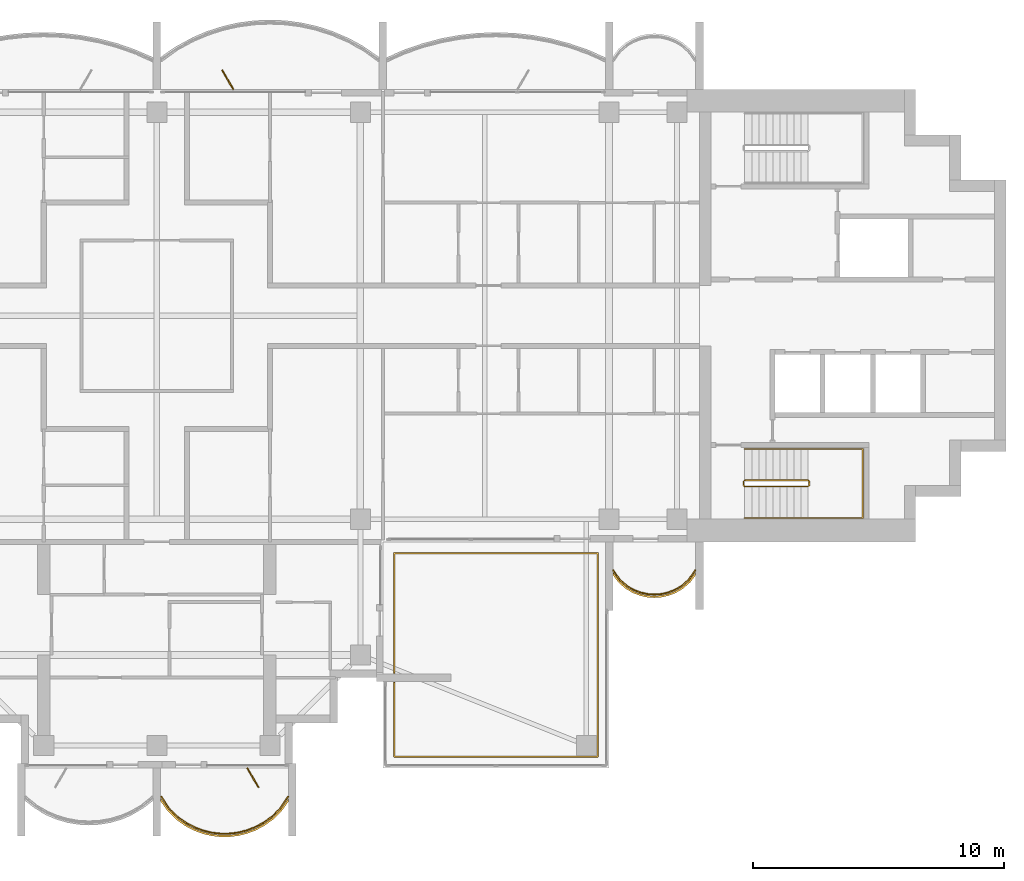
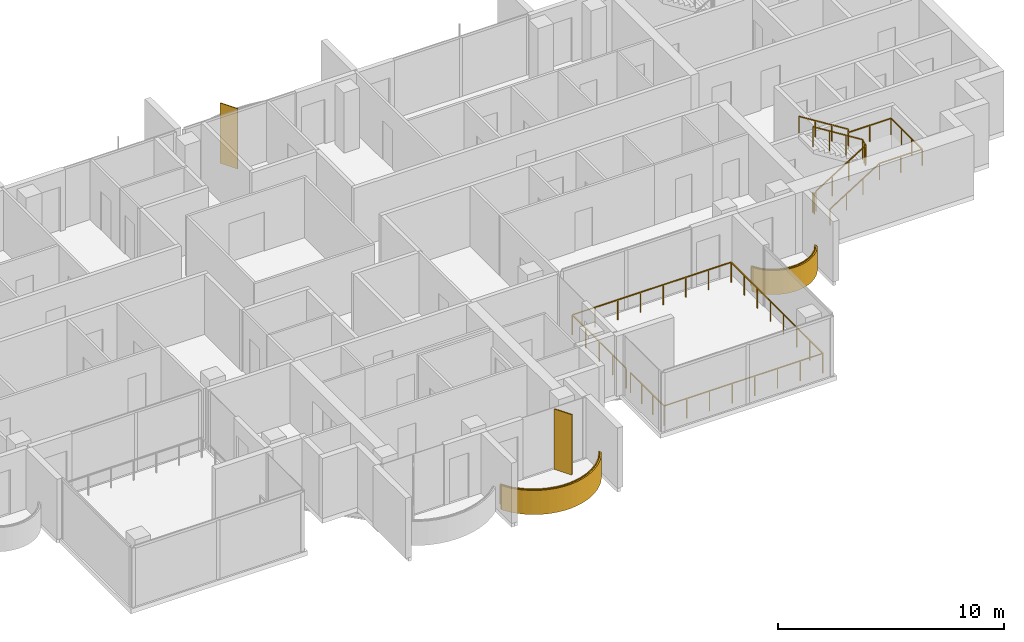
# One storey, part 15 of 16: 5 railings, 2 coverings, 2 shading devices.
"""IFC4 building model written with IfcOpenShell, lengths in metres."""

from ifc_helpers import new_model, si_unit, direction, frame, origin, origin_2d, place, context, subcontext, project, spatial, polyline, rectangle, outline, extrude, material, layer, layer_set, type_object, element, save


model = new_model("IFC4")

# Units and contexts
model_context = context("Model", 3, precision=1e-05, world=origin(), true_north=direction((0.0, 1.0)))
body_context = subcontext(model_context, "Body", "Model", "MODEL_VIEW")
ifc_project = project(units=[si_unit("LENGTHUNIT", "METRE"), si_unit("AREAUNIT", "SQUARE_METRE"), si_unit("VOLUMEUNIT", "CUBIC_METRE"), si_unit("PLANEANGLEUNIT", "RADIAN"), si_unit("MASSUNIT", "GRAM", prefix="KILO")], contexts=[model_context])

# Site, building, storey
site_placement = place(None, origin())
site = spatial("IfcSite", under=ifc_project, at=site_placement, CompositionType="ELEMENT")
building_placement = place(site_placement, origin())
building = spatial("IfcBuilding", under=site, at=building_placement, Name="Perihelion Cross Residences", CompositionType="ELEMENT")
storey_placement = place(building_placement, frame((0.0, 0.0, 246.5)))
storey = spatial("IfcBuildingStorey", under=building, at=storey_placement, Name="L62", CompositionType="ELEMENT", Elevation=246.5)

# Coverings
ifc_material_1 = material(Name="Bronze anodised aluminium", Category="aluminium")
ifc_layer_1 = layer(ifc_material_1, 0.070068359375)
ifc_layer_set_1 = layer_set([ifc_layer_1], Name="Balcony fascia 1300")
covering_type = type_object("IfcCoveringType", Name="Balcony fascia 1300", PredefinedType="CLADDING", material=ifc_layer_set_1)
covering_1_placement = place(storey_placement, frame((0.0, 0.0, -0.199951171875)))
element("IfcCovering", 1, at=covering_1_placement, inside=storey, type_object=covering_type, Name="Fascia BF1 L62 south tip south bay 2", PredefinedType="CLADDING", context=body_context, shape_type="SweptSolid", body=[
    extrude(outline(polyline([(0.43701171875, -19.722412109375), (0.78515625, -20.060791015625), (1.13330078125, -20.308837890625), (1.4814453125, -20.4912109375), (1.82958984375, -20.620361328125), (2.177734375, -20.703369140625), (2.52587890625, -20.743896484375), (2.8740234375, -20.743896484375), (3.22216796875, -20.703369140625), (3.5703125, -20.620361328125), (3.91845703125, -20.4912109375), (4.2666015625, -20.308837890625), (4.61474609375, -20.060791015625), (4.963134765625, -19.722412109375), (5.25, -19.320556640625), (5.25, -19.199951171875), (4.909912109375, -19.6767578125), (4.570068359375, -20.007080078125), (4.22998046875, -20.2490234375), (3.889892578125, -20.42724609375), (3.550048828125, -20.553466796875), (3.2099609375, -20.63427734375), (2.8701171875, -20.674072265625), (2.530029296875, -20.674072265625), (2.18994140625, -20.63427734375), (1.85009765625, -20.553466796875), (1.510009765625, -20.42724609375), (1.169921875, -20.2490234375), (0.830078125, -20.007080078125), (0.489990234375, -19.6767578125), (0.14990234375, -19.199951171875), (0.14990234375, -19.320556640625), (0.43701171875, -19.722412109375)])), origin(), (0.0, 0.0, 1.0), 1.300048828125),
])
covering_2_placement = place(storey_placement, frame((0.0, 0.0, -0.199951171875)))
element("IfcCovering", 2, at=covering_2_placement, inside=storey, type_object=covering_type, Name="Fascia BF1 L62 east side south bay 2", PredefinedType="CLADDING", context=body_context, shape_type="SweptSolid", body=[
    extrude(outline(polyline([(18.373779296875, -10.616455078125), (18.6591796875, -10.86328125), (18.9443359375, -11.031494140625), (19.229736328125, -11.142578125), (19.514892578125, -11.206298828125), (19.800048828125, -11.22705078125), (20.085205078125, -11.206298828125), (20.370361328125, -11.142578125), (20.655517578125, -11.031494140625), (20.94091796875, -10.86328125), (21.226318359375, -10.616455078125), (21.449951171875, -10.31689453125), (21.449951171875, -10.199951171875), (21.175048828125, -10.568603515625), (20.89990234375, -10.806396484375), (20.625, -10.96875), (20.35009765625, -11.07568359375), (20.074951171875, -11.136962890625), (19.800048828125, -11.156982421875), (19.52490234375, -11.136962890625), (19.25, -11.07568359375), (18.97509765625, -10.96875), (18.699951171875, -10.806396484375), (18.425048828125, -10.568603515625), (18.14990234375, -10.199951171875), (18.14990234375, -10.31689453125), (18.373779296875, -10.616455078125)])), origin(), (0.0, 0.0, 1.0), 1.300048828125),
])

# Railings
ifc_material_2 = material(Name="Bronze anodised aluminium", Category="aluminium")
railing_type_1 = type_object("IfcRailingType", Name="Balcony guard 1100", PredefinedType="GUARDRAIL", material=ifc_material_2)
railing_1_placement = place(storey_placement, frame((0.175048828125, -19.139892578125, 0.0)))
element("IfcRailing", 3, at=railing_1_placement, inside=storey, type_object=railing_type_1, Name="Guard GU1 L62 south tip south bay 2 balcony", PredefinedType="GUARDRAIL", context=body_context, shape_type="SweptSolid", body=[
    extrude(rectangle(XDim=0.048095703125, YDim=0.048095703125, at=origin_2d()), frame((0.0, 0.0, 1.076171875), z_axis=(0.551145731138, -0.834409002258, 0.0), x_axis=(0.834409002258, 0.551145731138, 0.0)), (0.0, 0.0, 1.0), 0.571533203125),
    extrude(rectangle(XDim=0.048095703125, YDim=0.048095703125, at=origin_2d()), frame((0.31494140625, -0.476806640625, 1.076171875), z_axis=(0.717330852669, -0.69673269466, 0.0), x_axis=(0.69673269466, 0.717330852669, 0.0)), (0.0, 0.0, 1.0), 0.47412109375),
    extrude(rectangle(XDim=0.048095703125, YDim=0.048095703125, at=origin_2d()), frame((0.655029296875, -0.80712890625, 1.076171875), z_axis=(0.814365457194, -0.580352394782, 0.0), x_axis=(0.580352394782, 0.814365457194, 0.0)), (0.0, 0.0, 1.0), 0.417236328125),
    extrude(rectangle(XDim=0.048095703125, YDim=0.048095703125, at=origin_2d()), frame((0.994873046875, -1.04931640625, 1.076171875), z_axis=(0.886005761733, -0.463674228502, 0.0), x_axis=(0.463674228502, 0.886005761733, 0.0)), (0.0, 0.0, 1.0), 0.3837890625),
    extrude(rectangle(XDim=0.048095703125, YDim=0.048095703125, at=origin_2d()), frame((1.3349609375, -1.227294921875, 1.076171875), z_axis=(0.93751311099, -0.347949948587, 0.0), x_axis=(0.347949948587, 0.93751311099, 0.0)), (0.0, 0.0, 1.0), 0.36279296875),
    extrude(rectangle(XDim=0.048095703125, YDim=0.048095703125, at=origin_2d()), frame((1.675048828125, -1.353515625, 1.076171875), z_axis=(0.972716168284, -0.231998396458, 0.0), x_axis=(0.231998396458, 0.972716168284, 0.0)), (0.0, 0.0, 1.0), 0.349365234375),
    extrude(rectangle(XDim=0.048095703125, YDim=0.048095703125, at=origin_2d()), frame((2.014892578125, -1.4345703125, 1.076171875), z_axis=(0.993305477634, -0.11551721994, 0.0), x_axis=(0.11551721994, 0.993305477634, 0.0)), (0.0, 0.0, 1.0), 0.34228515625),
    extrude(rectangle(XDim=0.048095703125, YDim=0.048095703125, at=origin_2d()), frame((2.35498046875, -1.47412109375, 1.076171875), z_axis=(1.0, 0.0, 0.0), x_axis=(0.0, 1.0, 0.0)), (0.0, 0.0, 1.0), 0.340087890625),
    extrude(rectangle(XDim=0.048095703125, YDim=0.048095703125, at=origin_2d()), frame((2.695068359375, -1.47412109375, 1.076171875), z_axis=(0.993295952156, 0.11559909788, 0.0), x_axis=(-0.11559909788, 0.993295952156, 0.0)), (0.0, 0.0, 1.0), 0.342041015625),
    extrude(rectangle(XDim=0.048095703125, YDim=0.048095703125, at=origin_2d()), frame((3.034912109375, -1.4345703125, 1.076171875), z_axis=(0.972753741142, 0.231840805498, 0.0), x_axis=(-0.231840805498, 0.972753741142, 0.0)), (0.0, 0.0, 1.0), 0.349609375),
    extrude(rectangle(XDim=0.048095703125, YDim=0.048095703125, at=origin_2d()), frame((3.375, -1.353515625, 1.076171875), z_axis=(0.937431552165, 0.348169621027, 0.0), x_axis=(-0.348169621027, 0.937431552165, 0.0)), (0.0, 0.0, 1.0), 0.362548828125),
    extrude(rectangle(XDim=0.048095703125, YDim=0.048095703125, at=origin_2d()), frame((3.71484375, -1.227294921875, 1.076171875), z_axis=(0.886005761733, 0.463674228502, 0.0), x_axis=(-0.463674228502, 0.886005761733, 0.0)), (0.0, 0.0, 1.0), 0.3837890625),
    extrude(rectangle(XDim=0.048095703125, YDim=0.048095703125, at=origin_2d()), frame((4.054931640625, -1.04931640625, 1.076171875), z_axis=(0.814562360662, 0.580075995532, 0.0), x_axis=(-0.580075995532, 0.814562360662, 0.0)), (0.0, 0.0, 1.0), 0.41748046875),
    extrude(rectangle(XDim=0.048095703125, YDim=0.048095703125, at=origin_2d()), frame((4.39501953125, -0.80712890625, 1.076171875), z_axis=(0.717080736691, 0.696990112603, 0.0), x_axis=(-0.696990112603, 0.717080736691, 0.0)), (0.0, 0.0, 1.0), 0.473876953125),
    extrude(rectangle(XDim=0.048095703125, YDim=0.048095703125, at=origin_2d()), frame((4.73486328125, -0.476806640625, 1.076171875), z_axis=(0.55144309028, 0.834212513801, 0.0), x_axis=(-0.834212513801, 0.55144309028, 0.0)), (0.0, 0.0, 1.0), 0.571533203125),
    extrude(rectangle(XDim=0.0419921875, YDim=0.0419921875, at=origin_2d()), origin(), (0.0, 0.0, 1.0), 1.052001953125),
    extrude(rectangle(XDim=0.0419921875, YDim=0.0419921875, at=origin_2d()), frame((0.31494140625, -0.476806640625, 0.0)), (0.0, 0.0, 1.0), 1.052001953125),
    extrude(rectangle(XDim=0.0419921875, YDim=0.0419921875, at=origin_2d()), frame((0.655029296875, -0.80712890625, 0.0)), (0.0, 0.0, 1.0), 1.052001953125),
    extrude(rectangle(XDim=0.0419921875, YDim=0.0419921875, at=origin_2d()), frame((0.994873046875, -1.04931640625, 0.0)), (0.0, 0.0, 1.0), 1.052001953125),
    extrude(rectangle(XDim=0.0419921875, YDim=0.0419921875, at=origin_2d()), frame((1.3349609375, -1.227294921875, 0.0)), (0.0, 0.0, 1.0), 1.052001953125),
    extrude(rectangle(XDim=0.0419921875, YDim=0.0419921875, at=origin_2d()), frame((1.675048828125, -1.353515625, 0.0)), (0.0, 0.0, 1.0), 1.052001953125),
    extrude(rectangle(XDim=0.0419921875, YDim=0.0419921875, at=origin_2d()), frame((2.014892578125, -1.4345703125, 0.0)), (0.0, 0.0, 1.0), 1.052001953125),
    extrude(rectangle(XDim=0.0419921875, YDim=0.0419921875, at=origin_2d()), frame((2.35498046875, -1.47412109375, 0.0)), (0.0, 0.0, 1.0), 1.052001953125),
    extrude(rectangle(XDim=0.0419921875, YDim=0.0419921875, at=origin_2d()), frame((2.695068359375, -1.47412109375, 0.0)), (0.0, 0.0, 1.0), 1.052001953125),
    extrude(rectangle(XDim=0.0419921875, YDim=0.0419921875, at=origin_2d()), frame((3.034912109375, -1.4345703125, 0.0)), (0.0, 0.0, 1.0), 1.052001953125),
    extrude(rectangle(XDim=0.0419921875, YDim=0.0419921875, at=origin_2d()), frame((3.375, -1.353515625, 0.0)), (0.0, 0.0, 1.0), 1.052001953125),
    extrude(rectangle(XDim=0.0419921875, YDim=0.0419921875, at=origin_2d()), frame((3.71484375, -1.227294921875, 0.0)), (0.0, 0.0, 1.0), 1.052001953125),
    extrude(rectangle(XDim=0.0419921875, YDim=0.0419921875, at=origin_2d()), frame((4.054931640625, -1.04931640625, 0.0)), (0.0, 0.0, 1.0), 1.052001953125),
    extrude(rectangle(XDim=0.0419921875, YDim=0.0419921875, at=origin_2d()), frame((4.39501953125, -0.80712890625, 0.0)), (0.0, 0.0, 1.0), 1.052001953125),
    extrude(rectangle(XDim=0.0419921875, YDim=0.0419921875, at=origin_2d()), frame((4.73486328125, -0.476806640625, 0.0)), (0.0, 0.0, 1.0), 1.052001953125),
    extrude(rectangle(XDim=0.0419921875, YDim=0.0419921875, at=origin_2d()), frame((5.050048828125, 0.0, 0.0)), (0.0, 0.0, 1.0), 1.052001953125),
])
railing_2_placement = place(storey_placement, frame((18.175048828125, -10.139892578125, 0.0)))
element("IfcRailing", 4, at=railing_2_placement, inside=storey, type_object=railing_type_1, Name="Guard GU1 L62 east side south bay 2 balcony", PredefinedType="GUARDRAIL", context=body_context, shape_type="SweptSolid", body=[
    extrude(rectangle(XDim=0.048095703125, YDim=0.048095703125, at=origin_2d()), frame((0.0, 0.0, 1.076171875), z_axis=(0.561260132269, -0.827639452857, 0.0), x_axis=(0.827639452857, 0.561260132269, 0.0)), (0.0, 0.0, 1.0), 0.4453125),
    extrude(rectangle(XDim=0.048095703125, YDim=0.048095703125, at=origin_2d()), frame((0.25, -0.36865234375, 1.076171875), z_axis=(0.756309278473, -0.654214242658, 0.0), x_axis=(0.654214242658, 0.756309278473, 0.0)), (0.0, 0.0, 1.0), 0.363525390625),
    extrude(rectangle(XDim=0.048095703125, YDim=0.048095703125, at=origin_2d()), frame((0.52490234375, -0.6064453125, 1.076171875), z_axis=(0.861245845072, -0.508188542123, 0.0), x_axis=(0.508188542123, 0.861245845072, 0.0)), (0.0, 0.0, 1.0), 0.319580078125),
    extrude(rectangle(XDim=0.048095703125, YDim=0.048095703125, at=origin_2d()), frame((0.800048828125, -0.768798828125, 1.076171875), z_axis=(0.931973602183, -0.362526143656, 0.0), x_axis=(0.362526143656, 0.931973602183, 0.0)), (0.0, 0.0, 1.0), 0.294921875),
    extrude(rectangle(XDim=0.048095703125, YDim=0.048095703125, at=origin_2d()), frame((1.074951171875, -0.875732421875, 1.076171875), z_axis=(0.976044077717, -0.217572880557, 0.0), x_axis=(0.217572880557, 0.976044077717, 0.0)), (0.0, 0.0, 1.0), 0.28173828125),
    extrude(rectangle(XDim=0.048095703125, YDim=0.048095703125, at=origin_2d()), frame((1.349853515625, -0.93701171875, 1.076171875), z_axis=(0.997363488337, -0.072567707226, 0.0), x_axis=(0.072567707226, 0.997363488337, 0.0)), (0.0, 0.0, 1.0), 0.27587890625),
    extrude(rectangle(XDim=0.048095703125, YDim=0.048095703125, at=origin_2d()), frame((1.625, -0.95703125, 1.076171875), z_axis=(0.997358821833, 0.072631814734, 0.0), x_axis=(-0.072631814734, 0.997358821833, 0.0)), (0.0, 0.0, 1.0), 0.275634765625),
    extrude(rectangle(XDim=0.048095703125, YDim=0.048095703125, at=origin_2d()), frame((1.89990234375, -0.93701171875, 1.076171875), z_axis=(0.976085059389, 0.21738895289, 0.0), x_axis=(-0.21738895289, 0.976085059389, 0.0)), (0.0, 0.0, 1.0), 0.281982421875),
    extrude(rectangle(XDim=0.048095703125, YDim=0.048095703125, at=origin_2d()), frame((2.175048828125, -0.875732421875, 1.076171875), z_axis=(0.931973602183, 0.362526143656, 0.0), x_axis=(-0.362526143656, 0.931973602183, 0.0)), (0.0, 0.0, 1.0), 0.294921875),
    extrude(rectangle(XDim=0.048095703125, YDim=0.048095703125, at=origin_2d()), frame((2.449951171875, -0.768798828125, 1.076171875), z_axis=(0.861048292884, 0.508523192511, 0.0), x_axis=(-0.508523192511, 0.861048292884, 0.0)), (0.0, 0.0, 1.0), 0.3193359375),
    extrude(rectangle(XDim=0.048095703125, YDim=0.048095703125, at=origin_2d()), frame((2.724853515625, -0.6064453125, 1.076171875), z_axis=(0.756596535164, 0.653882009982, 0.0), x_axis=(-0.653882009982, 0.756596535164, 0.0)), (0.0, 0.0, 1.0), 0.36376953125),
    extrude(rectangle(XDim=0.048095703125, YDim=0.048095703125, at=origin_2d()), frame((3.0, -0.36865234375, 1.076171875), z_axis=(0.561260132269, 0.827639452857, 0.0), x_axis=(-0.827639452857, 0.561260132269, 0.0)), (0.0, 0.0, 1.0), 0.4453125),
    extrude(rectangle(XDim=0.0419921875, YDim=0.0419921875, at=origin_2d()), origin(), (0.0, 0.0, 1.0), 1.052001953125),
    extrude(rectangle(XDim=0.0419921875, YDim=0.0419921875, at=origin_2d()), frame((0.25, -0.36865234375, 0.0)), (0.0, 0.0, 1.0), 1.052001953125),
    extrude(rectangle(XDim=0.0419921875, YDim=0.0419921875, at=origin_2d()), frame((0.52490234375, -0.6064453125, 0.0)), (0.0, 0.0, 1.0), 1.052001953125),
    extrude(rectangle(XDim=0.0419921875, YDim=0.0419921875, at=origin_2d()), frame((0.800048828125, -0.768798828125, 0.0)), (0.0, 0.0, 1.0), 1.052001953125),
    extrude(rectangle(XDim=0.0419921875, YDim=0.0419921875, at=origin_2d()), frame((1.074951171875, -0.875732421875, 0.0)), (0.0, 0.0, 1.0), 1.052001953125),
    extrude(rectangle(XDim=0.0419921875, YDim=0.0419921875, at=origin_2d()), frame((1.349853515625, -0.93701171875, 0.0)), (0.0, 0.0, 1.0), 1.052001953125),
    extrude(rectangle(XDim=0.0419921875, YDim=0.0419921875, at=origin_2d()), frame((1.625, -0.95703125, 0.0)), (0.0, 0.0, 1.0), 1.052001953125),
    extrude(rectangle(XDim=0.0419921875, YDim=0.0419921875, at=origin_2d()), frame((1.89990234375, -0.93701171875, 0.0)), (0.0, 0.0, 1.0), 1.052001953125),
    extrude(rectangle(XDim=0.0419921875, YDim=0.0419921875, at=origin_2d()), frame((2.175048828125, -0.875732421875, 0.0)), (0.0, 0.0, 1.0), 1.052001953125),
    extrude(rectangle(XDim=0.0419921875, YDim=0.0419921875, at=origin_2d()), frame((2.449951171875, -0.768798828125, 0.0)), (0.0, 0.0, 1.0), 1.052001953125),
    extrude(rectangle(XDim=0.0419921875, YDim=0.0419921875, at=origin_2d()), frame((2.724853515625, -0.6064453125, 0.0)), (0.0, 0.0, 1.0), 1.052001953125),
    extrude(rectangle(XDim=0.0419921875, YDim=0.0419921875, at=origin_2d()), frame((3.0, -0.36865234375, 0.0)), (0.0, 0.0, 1.0), 1.052001953125),
    extrude(rectangle(XDim=0.0419921875, YDim=0.0419921875, at=origin_2d()), frame((3.25, 0.0, 0.0)), (0.0, 0.0, 1.0), 1.052001953125),
])
railing_3_placement = place(storey_placement, frame((9.449951171875, -14.2099609375, 0.0)))
element("IfcRailing", 5, at=railing_3_placement, inside=storey, type_object=railing_type_1, Name="Guard GU1 L62 pocket south-east 1", PredefinedType="GUARDRAIL", context=body_context, shape_type="SweptSolid", body=[
    extrude(rectangle(XDim=0.048095703125, YDim=0.048095703125, at=origin_2d()), frame((0.0, 0.0, 1.076171875), z_axis=(0.0, 1.0, 0.0), x_axis=(-1.0, 0.0, 0.0)), (0.0, 0.0, 1.0), 4.760009765625),
    extrude(rectangle(XDim=0.048095703125, YDim=0.048095703125, at=origin_2d()), frame((0.0, 4.760009765625, 1.076171875), z_axis=(1.0, 0.0, 0.0), x_axis=(0.0, 1.0, 0.0)), (0.0, 0.0, 1.0), 8.10009765625),
    extrude(rectangle(XDim=0.048095703125, YDim=0.048095703125, at=origin_2d()), frame((8.10009765625, 4.760009765625, 1.076171875), z_axis=(0.0, -1.0, 0.0), x_axis=(1.0, 0.0, 0.0)), (0.0, 0.0, 1.0), 8.10009765625),
    extrude(rectangle(XDim=0.048095703125, YDim=0.048095703125, at=origin_2d()), frame((8.10009765625, -3.340087890625, 1.076171875), z_axis=(-1.0, 0.0, 0.0), x_axis=(0.0, -1.0, 0.0)), (0.0, 0.0, 1.0), 8.10009765625),
    extrude(rectangle(XDim=0.048095703125, YDim=0.048095703125, at=origin_2d()), frame((0.0, -3.340087890625, 1.076171875), z_axis=(0.0, 1.0, 0.0), x_axis=(-1.0, 0.0, 0.0)), (0.0, 0.0, 1.0), 2.9599609375),
    extrude(rectangle(XDim=0.0419921875, YDim=0.0419921875, at=origin_2d()), origin(), (0.0, 0.0, 1.0), 1.052001953125),
    extrude(rectangle(XDim=0.0419921875, YDim=0.0419921875, at=origin_2d()), frame((0.0, 1.18994140625, 0.0)), (0.0, 0.0, 1.0), 1.052001953125),
    extrude(rectangle(XDim=0.0419921875, YDim=0.0419921875, at=origin_2d()), frame((0.0, 2.3798828125, 0.0)), (0.0, 0.0, 1.0), 1.052001953125),
    extrude(rectangle(XDim=0.0419921875, YDim=0.0419921875, at=origin_2d()), frame((0.0, 3.570068359375, 0.0)), (0.0, 0.0, 1.0), 1.052001953125),
    extrude(rectangle(XDim=0.0419921875, YDim=0.0419921875, at=origin_2d()), frame((0.0, 4.760009765625, 0.0)), (0.0, 0.0, 1.0), 1.052001953125),
    extrude(rectangle(XDim=0.0419921875, YDim=0.0419921875, at=origin_2d()), frame((1.1572265625, 4.760009765625, 0.0)), (0.0, 0.0, 1.0), 1.052001953125),
    extrude(rectangle(XDim=0.0419921875, YDim=0.0419921875, at=origin_2d()), frame((2.314208984375, 4.760009765625, 0.0)), (0.0, 0.0, 1.0), 1.052001953125),
    extrude(rectangle(XDim=0.0419921875, YDim=0.0419921875, at=origin_2d()), frame((3.471435546875, 4.760009765625, 0.0)), (0.0, 0.0, 1.0), 1.052001953125),
    extrude(rectangle(XDim=0.0419921875, YDim=0.0419921875, at=origin_2d()), frame((4.628662109375, 4.760009765625, 0.0)), (0.0, 0.0, 1.0), 1.052001953125),
    extrude(rectangle(XDim=0.0419921875, YDim=0.0419921875, at=origin_2d()), frame((5.785888671875, 4.760009765625, 0.0)), (0.0, 0.0, 1.0), 1.052001953125),
    extrude(rectangle(XDim=0.0419921875, YDim=0.0419921875, at=origin_2d()), frame((6.94287109375, 4.760009765625, 0.0)), (0.0, 0.0, 1.0), 1.052001953125),
    extrude(rectangle(XDim=0.0419921875, YDim=0.0419921875, at=origin_2d()), frame((8.10009765625, 4.760009765625, 0.0)), (0.0, 0.0, 1.0), 1.052001953125),
    extrude(rectangle(XDim=0.0419921875, YDim=0.0419921875, at=origin_2d()), frame((8.10009765625, 3.602783203125, 0.0)), (0.0, 0.0, 1.0), 1.052001953125),
    extrude(rectangle(XDim=0.0419921875, YDim=0.0419921875, at=origin_2d()), frame((8.10009765625, 2.44580078125, 0.0)), (0.0, 0.0, 1.0), 1.052001953125),
    extrude(rectangle(XDim=0.0419921875, YDim=0.0419921875, at=origin_2d()), frame((8.10009765625, 1.28857421875, 0.0)), (0.0, 0.0, 1.0), 1.052001953125),
    extrude(rectangle(XDim=0.0419921875, YDim=0.0419921875, at=origin_2d()), frame((8.10009765625, 0.13134765625, 0.0)), (0.0, 0.0, 1.0), 1.052001953125),
    extrude(rectangle(XDim=0.0419921875, YDim=0.0419921875, at=origin_2d()), frame((8.10009765625, -1.02587890625, 0.0)), (0.0, 0.0, 1.0), 1.052001953125),
    extrude(rectangle(XDim=0.0419921875, YDim=0.0419921875, at=origin_2d()), frame((8.10009765625, -2.182861328125, 0.0)), (0.0, 0.0, 1.0), 1.052001953125),
    extrude(rectangle(XDim=0.0419921875, YDim=0.0419921875, at=origin_2d()), frame((8.10009765625, -3.340087890625, 0.0)), (0.0, 0.0, 1.0), 1.052001953125),
    extrude(rectangle(XDim=0.0419921875, YDim=0.0419921875, at=origin_2d()), frame((6.94287109375, -3.340087890625, 0.0)), (0.0, 0.0, 1.0), 1.052001953125),
    extrude(rectangle(XDim=0.0419921875, YDim=0.0419921875, at=origin_2d()), frame((5.785888671875, -3.340087890625, 0.0)), (0.0, 0.0, 1.0), 1.052001953125),
    extrude(rectangle(XDim=0.0419921875, YDim=0.0419921875, at=origin_2d()), frame((4.628662109375, -3.340087890625, 0.0)), (0.0, 0.0, 1.0), 1.052001953125),
    extrude(rectangle(XDim=0.0419921875, YDim=0.0419921875, at=origin_2d()), frame((3.471435546875, -3.340087890625, 0.0)), (0.0, 0.0, 1.0), 1.052001953125),
    extrude(rectangle(XDim=0.0419921875, YDim=0.0419921875, at=origin_2d()), frame((2.314208984375, -3.340087890625, 0.0)), (0.0, 0.0, 1.0), 1.052001953125),
    extrude(rectangle(XDim=0.0419921875, YDim=0.0419921875, at=origin_2d()), frame((1.1572265625, -3.340087890625, 0.0)), (0.0, 0.0, 1.0), 1.052001953125),
    extrude(rectangle(XDim=0.0419921875, YDim=0.0419921875, at=origin_2d()), frame((0.0, -3.340087890625, 0.0)), (0.0, 0.0, 1.0), 1.052001953125),
    extrude(rectangle(XDim=0.0419921875, YDim=0.0419921875, at=origin_2d()), frame((0.0, -2.353515625, 0.0)), (0.0, 0.0, 1.0), 1.052001953125),
    extrude(rectangle(XDim=0.0419921875, YDim=0.0419921875, at=origin_2d()), frame((0.0, -1.36669921875, 0.0)), (0.0, 0.0, 1.0), 1.052001953125),
    extrude(rectangle(XDim=0.0419921875, YDim=0.0419921875, at=origin_2d()), frame((0.0, -0.380126953125, 0.0)), (0.0, 0.0, 1.0), 1.052001953125),
])

# Shading devices
ifc_material_3 = material(Name="Bronze anodised aluminium", Category="aluminium")
ifc_layer_2 = layer(ifc_material_3, 0.050048828125)
ifc_layer_set_2 = layer_set([ifc_layer_2], Name="Bronze fin 900")
shading_device_type = type_object("IfcShadingDeviceType", Name="Bronze fin 900", PredefinedType="USERDEFINED", material=ifc_layer_set_2)
for number, where, z_axis, x_axis, name in (
    (6, (2.824951171875, 9.3896484375, 0.0), (0.0, 0.0, 1.0), (-0.5, 0.866025403784, 0.0), "Fin FN1 L62 north side east bay 1"),
    (7, (3.824951171875, -18.3896484375, 0.0), (0.0, 0.0, 1.0), (0.5, -0.866025403784, 0.0), "Fin FN1 L62 south tip south bay 2"),
):
    element("IfcShadingDevice", number, at=place(storey_placement, frame(where, z_axis=z_axis, x_axis=x_axis)), inside=storey, type_object=shading_device_type, Name=name, ObjectType="FIN", PredefinedType="USERDEFINED", context=body_context, shape_type="SweptSolid", body=[
        extrude(rectangle(XDim=0.89990234375, YDim=0.050048828125, at=origin_2d()), origin(), (0.0, 0.0, 1.0), 3.25),
    ])

# Railings
ifc_material_4 = material(Name="Stainless steel", Category="steel")
railing_type_2 = type_object("IfcRailingType", Name="Stair guard 1100", PredefinedType="GUARDRAIL", material=ifc_material_4)
railing_4_placement = place(storey_placement, frame((23.35009765625, -6.60009765625, 0.0)))
element("IfcRailing", 8, at=railing_4_placement, inside=storey, type_object=railing_type_2, Name="L62 ST-E2 stair guard 1", PredefinedType="GUARDRAIL", context=body_context, shape_type="SweptSolid", body=[
    extrude(rectangle(XDim=0.048095703125, YDim=0.048095703125, at=origin_2d()), frame((0.0, 0.0, 1.076171875), z_axis=(0.0, -1.0, 0.0), x_axis=(1.0, 0.0, 0.0)), (0.0, 0.0, 1.0), 0.14990234375),
    extrude(rectangle(XDim=0.048095703125, YDim=0.048095703125, at=origin_2d()), frame((0.0, -0.14990234375, 1.076171875), z_axis=(0.263862480399, -0.265155923931, 0.927399011991), x_axis=(0.708833529934, 0.705375805398, 0.0)), (0.0, 0.0, 1.0), 0.188720703125),
    extrude(rectangle(XDim=0.048095703125, YDim=0.048095703125, at=origin_2d()), frame((0.0498046875, -0.199951171875, 1.2509765625), z_axis=(0.848007534815, 0.0, 0.529984170421), x_axis=(0.0, 1.0, 0.0)), (0.0, 0.0, 1.0), 2.9716796875),
    extrude(rectangle(XDim=0.048095703125, YDim=0.048095703125, at=origin_2d()), frame((2.56982421875, -0.199951171875, 2.826171875), z_axis=(0.707106781187, 0.707106781187, 0.0), x_axis=(-0.707106781187, 0.707106781187, 0.0)), (0.0, 0.0, 1.0), 0.07080078125),
    extrude(rectangle(XDim=0.048095703125, YDim=0.048095703125, at=origin_2d()), frame((2.619873046875, -0.14990234375, 2.826171875), z_axis=(0.0, 1.0, 0.0), x_axis=(-1.0, 0.0, 0.0)), (0.0, 0.0, 1.0), 0.14990234375),
    extrude(rectangle(XDim=0.048095703125, YDim=0.048095703125, at=origin_2d()), frame((2.619873046875, 0.0, 2.826171875), z_axis=(-0.265065253269, 0.265065253269, 0.927081885822), x_axis=(-0.707106781187, -0.707106781187, 0.0)), (0.0, 0.0, 1.0), 0.188720703125),
    extrude(rectangle(XDim=0.048095703125, YDim=0.048095703125, at=origin_2d()), frame((2.56982421875, 0.050048828125, 3.0009765625), z_axis=(-0.848007534815, 0.0, 0.529984170421), x_axis=(0.0, -1.0, 0.0)), (0.0, 0.0, 1.0), 2.9716796875),
    extrude(rectangle(XDim=0.0419921875, YDim=0.0419921875, at=origin_2d()), origin(), (0.0, 0.0, 1.0), 1.052001953125),
    extrude(rectangle(XDim=0.0419921875, YDim=0.0419921875, at=origin_2d()), frame((0.0, -0.14990234375, 0.0)), (0.0, 0.0, 1.0), 1.052001953125),
    extrude(rectangle(XDim=0.0419921875, YDim=0.0419921875, at=origin_2d()), frame((0.0498046875, -0.199951171875, 0.175048828125)), (0.0, 0.0, 1.0), 1.052001953125),
    extrude(rectangle(XDim=0.0419921875, YDim=0.0419921875, at=origin_2d()), frame((0.889892578125, -0.199951171875, 0.699951171875)), (0.0, 0.0, 1.0), 1.052001953125),
    extrude(rectangle(XDim=0.0419921875, YDim=0.0419921875, at=origin_2d()), frame((1.729736328125, -0.199951171875, 1.22509765625)), (0.0, 0.0, 1.0), 1.052001953125),
    extrude(rectangle(XDim=0.0419921875, YDim=0.0419921875, at=origin_2d()), frame((2.56982421875, -0.199951171875, 1.75)), (0.0, 0.0, 1.0), 1.052001953125),
    extrude(rectangle(XDim=0.0419921875, YDim=0.0419921875, at=origin_2d()), frame((2.619873046875, -0.14990234375, 1.75)), (0.0, 0.0, 1.0), 1.052001953125),
    extrude(rectangle(XDim=0.0419921875, YDim=0.0419921875, at=origin_2d()), frame((2.619873046875, 0.0, 1.75)), (0.0, 0.0, 1.0), 1.052001953125),
    extrude(rectangle(XDim=0.0419921875, YDim=0.0419921875, at=origin_2d()), frame((2.56982421875, 0.050048828125, 1.925048828125)), (0.0, 0.0, 1.0), 1.052001953125),
    extrude(rectangle(XDim=0.0419921875, YDim=0.0419921875, at=origin_2d()), frame((1.729736328125, 0.050048828125, 2.449951171875)), (0.0, 0.0, 1.0), 1.052001953125),
    extrude(rectangle(XDim=0.0419921875, YDim=0.0419921875, at=origin_2d()), frame((0.889892578125, 0.050048828125, 2.97509765625)), (0.0, 0.0, 1.0), 1.052001953125),
    extrude(rectangle(XDim=0.0419921875, YDim=0.0419921875, at=origin_2d()), frame((0.0498046875, 0.050048828125, 3.5)), (0.0, 0.0, 1.0), 1.052001953125),
])
ifc_material_5 = material(Name="Stainless steel", Category="steel")
railing_type_3 = type_object("IfcRailingType", Name="Stair handrail 900", PredefinedType="HANDRAIL", material=ifc_material_5)
railing_5_placement = place(storey_placement, frame((23.39990234375, -8.050048828125, 0.175048828125)))
element("IfcRailing", 9, at=railing_5_placement, inside=storey, type_object=railing_type_3, Name="L62 ST-E2 stair handrail 1", PredefinedType="HANDRAIL", context=body_context, shape_type="SweptSolid", body=[
    extrude(rectangle(XDim=0.048095703125, YDim=0.048095703125, at=origin_2d()), frame((0.0, 0.0, 0.8759765625), z_axis=(0.848007534815, 0.0, 0.529984170421), x_axis=(0.0, 1.0, 0.0)), (0.0, 0.0, 1.0), 2.9716796875),
    extrude(rectangle(XDim=0.048095703125, YDim=0.048095703125, at=origin_2d()), frame((2.52001953125, 0.0, 2.45068359375), z_axis=(1.0, 0.0, 0.0), x_axis=(0.0, 1.0, 0.0)), (0.0, 0.0, 1.0), 2.18017578125),
    extrude(rectangle(XDim=0.048095703125, YDim=0.048095703125, at=origin_2d()), frame((4.7001953125, 0.0, 2.45068359375), z_axis=(0.0, 1.0, 0.0), x_axis=(-1.0, 0.0, 0.0)), (0.0, 0.0, 1.0), 2.75),
    extrude(rectangle(XDim=0.048095703125, YDim=0.048095703125, at=origin_2d()), frame((4.7001953125, 2.75, 2.45068359375), z_axis=(-1.0, 0.0, 0.0), x_axis=(0.0, -1.0, 0.0)), (0.0, 0.0, 1.0), 2.18017578125),
    extrude(rectangle(XDim=0.048095703125, YDim=0.048095703125, at=origin_2d()), frame((2.52001953125, 2.75, 2.45068359375), z_axis=(0.0, 0.0, 1.0), x_axis=(1.0, 0.0, 0.0)), (0.0, 0.0, 1.0), 0.175048828125),
    extrude(rectangle(XDim=0.048095703125, YDim=0.048095703125, at=origin_2d()), frame((2.52001953125, 2.75, 2.6259765625), z_axis=(-0.848007534815, 0.0, 0.529984170421), x_axis=(0.0, -1.0, 0.0)), (0.0, 0.0, 1.0), 2.9716796875),
    extrude(rectangle(XDim=0.0419921875, YDim=0.0419921875, at=origin_2d()), origin(), (0.0, 0.0, 1.0), 0.851806640625),
    extrude(rectangle(XDim=0.0419921875, YDim=0.0419921875, at=origin_2d()), frame((0.840087890625, 0.0, 0.52490234375)), (0.0, 0.0, 1.0), 0.851806640625),
    extrude(rectangle(XDim=0.0419921875, YDim=0.0419921875, at=origin_2d()), frame((1.679931640625, 0.0, 1.050048828125)), (0.0, 0.0, 1.0), 0.851806640625),
    extrude(rectangle(XDim=0.0419921875, YDim=0.0419921875, at=origin_2d()), frame((2.52001953125, 0.0, 1.574951171875)), (0.0, 0.0, 1.0), 0.851806640625),
    extrude(rectangle(XDim=0.0419921875, YDim=0.0419921875, at=origin_2d()), frame((3.610107421875, 0.0, 1.574951171875)), (0.0, 0.0, 1.0), 0.851806640625),
    extrude(rectangle(XDim=0.0419921875, YDim=0.0419921875, at=origin_2d()), frame((4.7001953125, 0.0, 1.574951171875)), (0.0, 0.0, 1.0), 0.851806640625),
    extrude(rectangle(XDim=0.0419921875, YDim=0.0419921875, at=origin_2d()), frame((4.7001953125, 0.916748046875, 1.574951171875)), (0.0, 0.0, 1.0), 0.851806640625),
    extrude(rectangle(XDim=0.0419921875, YDim=0.0419921875, at=origin_2d()), frame((4.7001953125, 1.833251953125, 1.574951171875)), (0.0, 0.0, 1.0), 0.851806640625),
    extrude(rectangle(XDim=0.0419921875, YDim=0.0419921875, at=origin_2d()), frame((4.7001953125, 2.75, 1.574951171875)), (0.0, 0.0, 1.0), 0.851806640625),
    extrude(rectangle(XDim=0.0419921875, YDim=0.0419921875, at=origin_2d()), frame((3.610107421875, 2.75, 1.574951171875)), (0.0, 0.0, 1.0), 0.851806640625),
    extrude(rectangle(XDim=0.0419921875, YDim=0.0419921875, at=origin_2d()), frame((2.52001953125, 2.75, 1.574951171875)), (0.0, 0.0, 1.0), 0.851806640625),
    extrude(rectangle(XDim=0.0419921875, YDim=0.0419921875, at=origin_2d()), frame((2.52001953125, 2.75, 1.75)), (0.0, 0.0, 1.0), 0.851806640625),
    extrude(rectangle(XDim=0.0419921875, YDim=0.0419921875, at=origin_2d()), frame((1.679931640625, 2.75, 2.27490234375)), (0.0, 0.0, 1.0), 0.851806640625),
    extrude(rectangle(XDim=0.0419921875, YDim=0.0419921875, at=origin_2d()), frame((0.840087890625, 2.75, 2.800048828125)), (0.0, 0.0, 1.0), 0.851806640625),
    extrude(rectangle(XDim=0.0419921875, YDim=0.0419921875, at=origin_2d()), frame((0.0, 2.75, 3.324951171875)), (0.0, 0.0, 1.0), 0.851806640625),
])

save(model, "model.ifc")
